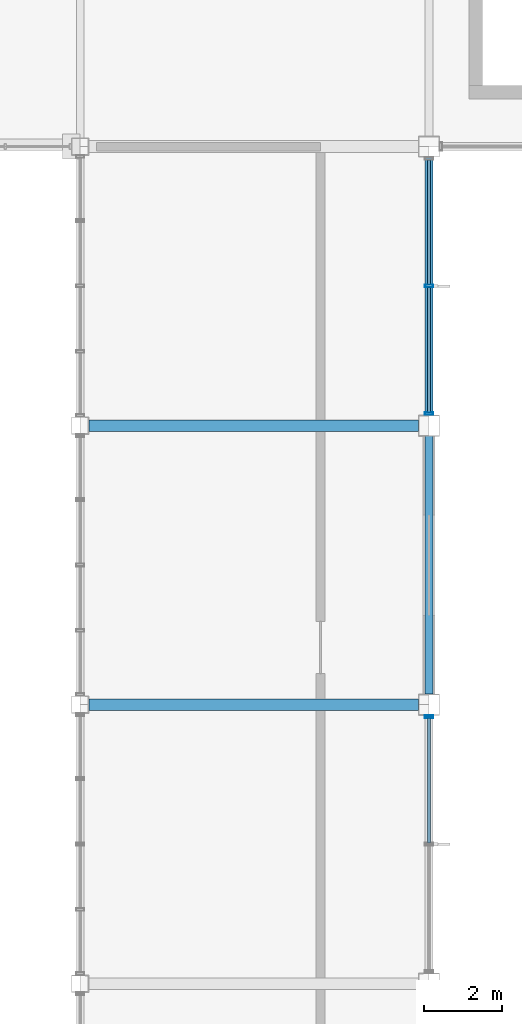
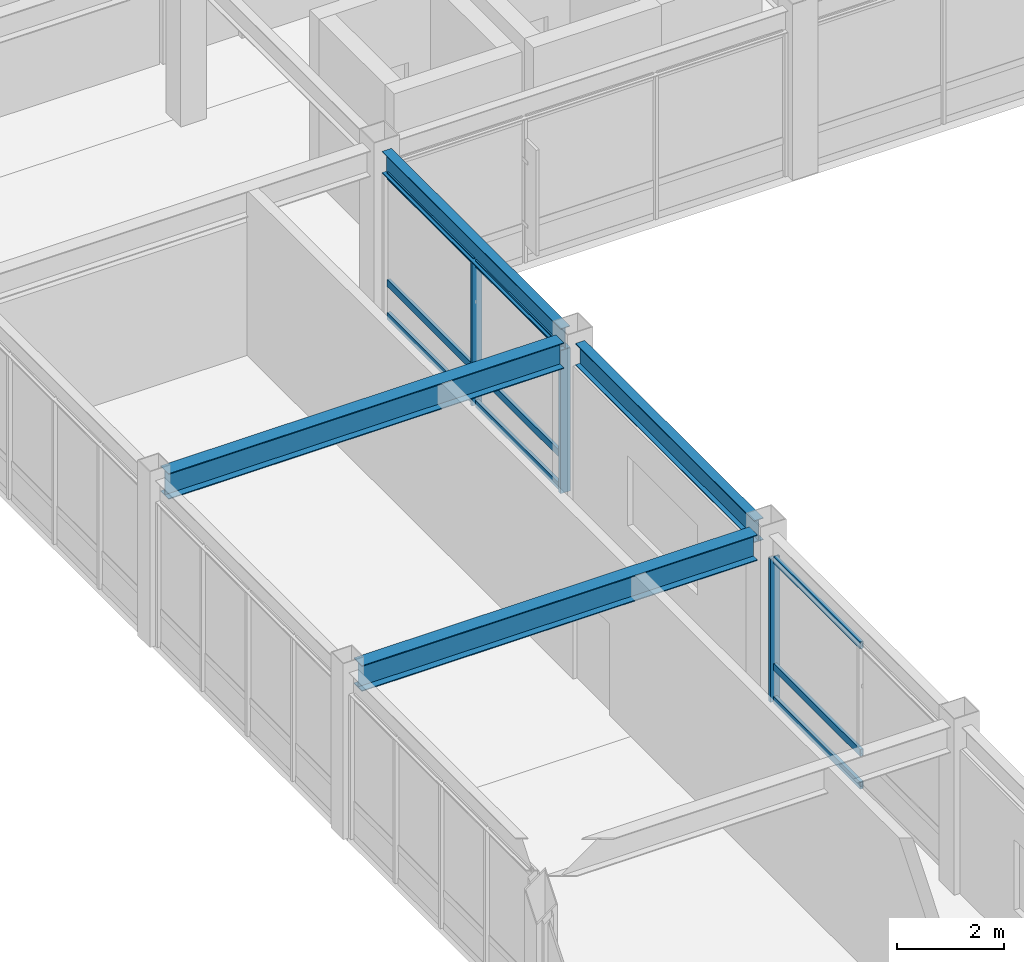
# One storey, part 35 of 122: 12 members, 4 beams, 2 elements without a shape of their own.
"""IFC4 building model written with IfcOpenShell, lengths in metres."""

from ifc_helpers import new_model, si_unit, direction, frame, origin, origin_2d, place, context, subcontext, project, spatial, hollow_rectangle, i_section, extrude, material, material_profile, profile_set, type_object, element, aggregate, save


model = new_model("IFC4")

# Units and contexts
model_context = context("Model", 3, precision=1e-05, world=origin(), true_north=direction((0.0, 1.0)))
body_context = subcontext(model_context, "Body", "Model", "MODEL_VIEW")
ifc_project = project(units=[si_unit("LENGTHUNIT", "METRE"), si_unit("AREAUNIT", "SQUARE_METRE"), si_unit("VOLUMEUNIT", "CUBIC_METRE"), si_unit("PLANEANGLEUNIT", "RADIAN"), si_unit("MASSUNIT", "GRAM", prefix="KILO")], contexts=[model_context])

# Site, building, storey
site_placement = place(None, origin())
site = spatial("IfcSite", under=ifc_project, at=site_placement, CompositionType="ELEMENT")
building_placement = place(site_placement, origin())
building = spatial("IfcBuilding", under=site, at=building_placement, Name="Kazanami Central Library", CompositionType="ELEMENT")
storey_placement = place(building_placement, frame((0.0, 0.0, 4.800048828125)))
storey = spatial("IfcBuildingStorey", under=building, at=storey_placement, Name="L02", CompositionType="ELEMENT", Elevation=4.800048828125)

# Beams
ifc_material_1 = material(Name="Steel SN490B (325 MPa)", Category="steel")
ifc_material_profile_1 = material_profile(ifc_material_1, i_section(OverallWidth=0.300048828125, OverallDepth=0.587890625, WebThickness=0.011962890625, FlangeThickness=0.02001953125, at=origin_2d()), Name="H-588x300x12x20")
ifc_profile_set_1 = profile_set([ifc_material_profile_1], Name="Steel SN490B (325 MPa)")
beam_type_1 = type_object("IfcBeamType", Name="BM-G-X2", PredefinedType="BEAM", material=ifc_profile_set_1)
for number, where, z_axis, x_axis, name in (
    (1, (45.222900390625, 50.39990234375, 3.4609375), (1.0, 0.0, 0.0), (0.0, 1.0, 0.0), "Girder G-X2 L02 H/6-7"),
    (2, (45.222900390625, 57.60009765625, 3.4609375), (1.0, 0.0, 0.0), (0.0, 1.0, 0.0), "Girder G-X2 L02 J/6-7"),
):
    element("IfcBeam", number, at=place(storey_placement, frame(where, z_axis=z_axis, x_axis=x_axis)), inside=storey, type_object=beam_type_1, Name=name, PredefinedType="BEAM", context=body_context, shape_type="SweptSolid", body=[
        extrude(i_section(OverallWidth=0.300048828125, OverallDepth=0.587890625, WebThickness=0.011962890625, FlangeThickness=0.02001953125, at=origin_2d()), origin(), (0.0, 0.0, 1.0), 8.504150390625),
    ])
ifc_material_profile_2 = material_profile(ifc_material_1, i_section(OverallWidth=0.199951171875, OverallDepth=0.5, WebThickness=0.010009765625, FlangeThickness=0.01611328125, at=origin_2d()), Name="H-500x200x10x16")
ifc_profile_set_2 = profile_set([ifc_material_profile_2], Name="Steel SN490B (325 MPa)")
beam_type_2 = type_object("IfcBeamType", Name="BM-SP-1", PredefinedType="SPANDREL", material=ifc_profile_set_2)
beam_1_placement = place(storey_placement, frame((54.0, 50.673095703125, 3.5048828125), z_axis=(0.0, 1.0, 0.0), x_axis=(-1.0, 0.0, 0.0)))
element("IfcBeam", 3, at=beam_1_placement, inside=storey, type_object=beam_type_2, Name="Girder SP-1 L02 7/H-J", PredefinedType="SPANDREL", context=body_context, shape_type="SweptSolid", body=[
    extrude(i_section(OverallWidth=0.199951171875, OverallDepth=0.5, WebThickness=0.010009765625, FlangeThickness=0.01611328125, at=origin_2d()), origin(), (0.0, 0.0, 1.0), 6.65380859375),
])
beam_2_placement = place(storey_placement, frame((54.0, 57.873046875, 3.5048828125), z_axis=(0.0, 1.0, 0.0), x_axis=(-1.0, 0.0, 0.0)))
element("IfcBeam", 4, at=beam_2_placement, inside=storey, type_object=beam_type_2, Name="Girder SP-1 L02 7/J-K", PredefinedType="SPANDREL", context=body_context, shape_type="SweptSolid", body=[
    extrude(i_section(OverallWidth=0.199951171875, OverallDepth=0.5, WebThickness=0.010009765625, FlangeThickness=0.01611328125, at=origin_2d()), origin(), (0.0, 0.0, 1.0), 6.654052734375),
])

# Curtain wall, member
ifc_material_2 = material(Name="Acid-Etched Low-E Laminated Glass", Category="glass")
curtain_wall_type = type_object("IfcCurtainWallType", Name="CW-6650x3255-M275", PredefinedType="USERDEFINED", material=ifc_material_2)
curtain_wall_1_placement = place(storey_placement, origin())
curtain_wall_1 = element("IfcCurtainWall", 5, at=curtain_wall_1_placement, inside=storey, type_object=curtain_wall_type, Name="Unitised Curtain Wall CW-22 L02 E-7-06", ObjectType="UNITISED CURTAIN WALL", PredefinedType="USERDEFINED")
ifc_material_3 = material(Name="Anodised Aluminium A6063-T5", Category="aluminium")
ifc_material_profile_3 = material_profile(ifc_material_3, hollow_rectangle(XDim=0.070068359375, YDim=0.2099609375, WallThickness=0.0048828125, at=origin_2d()), Name="ALU-MULL-70x210x5")
ifc_profile_set_3 = profile_set([ifc_material_profile_3], Name="Anodised Aluminium A6063-T5")
member_type_1 = type_object("IfcMemberType", Name="MEM-CW-M1", PredefinedType="MULLION", material=ifc_profile_set_3)
member_1_placement = place(storey_placement, frame((54.0, 50.090087890625, 0.0), z_axis=(0.0, 0.0, 1.0), x_axis=(0.0, -1.0, 0.0)))
member_1 = element("IfcMember", 6, at=member_1_placement, type_object=member_type_1, Name="CW-22 mullion 1", PredefinedType="MULLION", context=body_context, shape_type="SweptSolid", body=[
    extrude(hollow_rectangle(XDim=0.070068359375, YDim=0.2099609375, WallThickness=0.0048828125, at=origin_2d()), origin(), (0.0, 0.0, 1.0), 3.2548828125),
])

# Curtain wall, members
curtain_wall_2_placement = place(storey_placement, origin())
curtain_wall_2 = element("IfcCurtainWall", 7, at=curtain_wall_2_placement, inside=storey, type_object=curtain_wall_type, Name="Unitised Curtain Wall CW-22 L02 E-7-08", ObjectType="UNITISED CURTAIN WALL", PredefinedType="USERDEFINED")
member_2_placement = place(storey_placement, frame((54.0, 61.199951171875, 0.0), z_axis=(0.0, 0.0, 1.0), x_axis=(0.0, -1.0, 0.0)))
member_2 = element("IfcMember", 8, at=member_2_placement, type_object=member_type_1, Name="CW-22 mullion 2", PredefinedType="MULLION", context=body_context, shape_type="SweptSolid", body=[
    extrude(hollow_rectangle(XDim=0.070068359375, YDim=0.2099609375, WallThickness=0.0048828125, at=origin_2d()), origin(), (0.0, 0.0, 1.0), 3.2548828125),
])
member_3_placement = place(storey_placement, frame((54.0, 57.909912109375, 0.0), z_axis=(0.0, 0.0, 1.0), x_axis=(0.0, -1.0, 0.0)))
member_3 = element("IfcMember", 9, at=member_3_placement, type_object=member_type_1, Name="CW-22 mullion 3", PredefinedType="MULLION", context=body_context, shape_type="SweptSolid", body=[
    extrude(hollow_rectangle(XDim=0.070068359375, YDim=0.2099609375, WallThickness=0.0048828125, at=origin_2d()), origin(), (0.0, 0.0, 1.0), 3.2548828125),
])

# Member
ifc_material_profile_4 = material_profile(ifc_material_3, hollow_rectangle(XDim=0.070068359375, YDim=0.159912109375, WallThickness=0.00390625, at=origin_2d()), Name="ALU-TRAN-70x160x4")
ifc_profile_set_4 = profile_set([ifc_material_profile_4], Name="Anodised Aluminium A6063-T5")
member_type_2 = type_object("IfcMemberType", Name="MEM-CW-T1", PredefinedType="USERDEFINED", material=ifc_profile_set_4)
member_4_placement = place(storey_placement, frame((54.0, 50.054931640625, 0.034912109375), z_axis=(0.0, -1.0, 0.0), x_axis=(1.0, 0.0, 0.0)))
member_4 = element("IfcMember", 10, at=member_4_placement, type_object=member_type_2, Name="CW-22 transom 1.1", ObjectType="TRANSOM", PredefinedType="USERDEFINED", context=body_context, shape_type="SweptSolid", body=[
    extrude(hollow_rectangle(XDim=0.070068359375, YDim=0.159912109375, WallThickness=0.00390625, at=origin_2d()), origin(), (0.0, 0.0, 1.0), 3.219970703125),
])

member_5_placement = place(storey_placement, frame((54.0, 50.054931640625, 0.780029296875), z_axis=(0.0, -1.0, 0.0), x_axis=(1.0, 0.0, 0.0)))
member_5 = element("IfcMember", 11, at=member_5_placement, type_object=member_type_2, Name="CW-22 transom 1.2", ObjectType="TRANSOM", PredefinedType="USERDEFINED", context=body_context, shape_type="SweptSolid", body=[
    extrude(hollow_rectangle(XDim=0.070068359375, YDim=0.159912109375, WallThickness=0.00390625, at=origin_2d()), origin(), (0.0, 0.0, 1.0), 3.219970703125),
])

member_6_placement = place(storey_placement, frame((54.0, 50.054931640625, 3.219970703125), z_axis=(0.0, -1.0, 0.0), x_axis=(1.0, 0.0, 0.0)))
member_6 = element("IfcMember", 12, at=member_6_placement, type_object=member_type_2, Name="CW-22 transom 1.3", ObjectType="TRANSOM", PredefinedType="USERDEFINED", context=body_context, shape_type="SweptSolid", body=[
    extrude(hollow_rectangle(XDim=0.070068359375, YDim=0.159912109375, WallThickness=0.00390625, at=origin_2d()), origin(), (0.0, 0.0, 1.0), 3.219970703125),
])

aggregate(curtain_wall_1, [member_1, member_4, member_5, member_6])

member_7_placement = place(storey_placement, frame((54.0, 64.455078125, 0.034912109375), z_axis=(0.0, -1.0, 0.0), x_axis=(1.0, 0.0, 0.0)))
member_7 = element("IfcMember", 13, at=member_7_placement, type_object=member_type_2, Name="CW-22 transom 1.1", ObjectType="TRANSOM", PredefinedType="USERDEFINED", context=body_context, shape_type="SweptSolid", body=[
    extrude(hollow_rectangle(XDim=0.070068359375, YDim=0.159912109375, WallThickness=0.00390625, at=origin_2d()), origin(), (0.0, 0.0, 1.0), 3.219970703125),
])

member_8_placement = place(storey_placement, frame((54.0, 64.455078125, 0.780029296875), z_axis=(0.0, -1.0, 0.0), x_axis=(1.0, 0.0, 0.0)))
member_8 = element("IfcMember", 14, at=member_8_placement, type_object=member_type_2, Name="CW-22 transom 1.2", ObjectType="TRANSOM", PredefinedType="USERDEFINED", context=body_context, shape_type="SweptSolid", body=[
    extrude(hollow_rectangle(XDim=0.070068359375, YDim=0.159912109375, WallThickness=0.00390625, at=origin_2d()), origin(), (0.0, 0.0, 1.0), 3.219970703125),
])

member_9_placement = place(storey_placement, frame((54.0, 64.455078125, 3.219970703125), z_axis=(0.0, -1.0, 0.0), x_axis=(1.0, 0.0, 0.0)))
member_9 = element("IfcMember", 15, at=member_9_placement, type_object=member_type_2, Name="CW-22 transom 1.3", ObjectType="TRANSOM", PredefinedType="USERDEFINED", context=body_context, shape_type="SweptSolid", body=[
    extrude(hollow_rectangle(XDim=0.070068359375, YDim=0.159912109375, WallThickness=0.00390625, at=origin_2d()), origin(), (0.0, 0.0, 1.0), 3.219970703125),
])

member_10_placement = place(storey_placement, frame((54.0, 61.1650390625, 0.034912109375), z_axis=(0.0, -1.0, 0.0), x_axis=(1.0, 0.0, 0.0)))
member_10 = element("IfcMember", 16, at=member_10_placement, type_object=member_type_2, Name="CW-22 transom 2.1", ObjectType="TRANSOM", PredefinedType="USERDEFINED", context=body_context, shape_type="SweptSolid", body=[
    extrude(hollow_rectangle(XDim=0.070068359375, YDim=0.159912109375, WallThickness=0.00390625, at=origin_2d()), origin(), (0.0, 0.0, 1.0), 3.219970703125),
])

member_11_placement = place(storey_placement, frame((54.0, 61.1650390625, 0.780029296875), z_axis=(0.0, -1.0, 0.0), x_axis=(1.0, 0.0, 0.0)))
member_11 = element("IfcMember", 17, at=member_11_placement, type_object=member_type_2, Name="CW-22 transom 2.2", ObjectType="TRANSOM", PredefinedType="USERDEFINED", context=body_context, shape_type="SweptSolid", body=[
    extrude(hollow_rectangle(XDim=0.070068359375, YDim=0.159912109375, WallThickness=0.00390625, at=origin_2d()), origin(), (0.0, 0.0, 1.0), 3.219970703125),
])

member_12_placement = place(storey_placement, frame((54.0, 61.1650390625, 3.219970703125), z_axis=(0.0, -1.0, 0.0), x_axis=(1.0, 0.0, 0.0)))
member_12 = element("IfcMember", 18, at=member_12_placement, type_object=member_type_2, Name="CW-22 transom 2.3", ObjectType="TRANSOM", PredefinedType="USERDEFINED", context=body_context, shape_type="SweptSolid", body=[
    extrude(hollow_rectangle(XDim=0.070068359375, YDim=0.159912109375, WallThickness=0.00390625, at=origin_2d()), origin(), (0.0, 0.0, 1.0), 3.219970703125),
])

aggregate(curtain_wall_2, [member_2, member_3, member_7, member_8, member_9, member_10, member_11, member_12])

save(model, "model.ifc")
